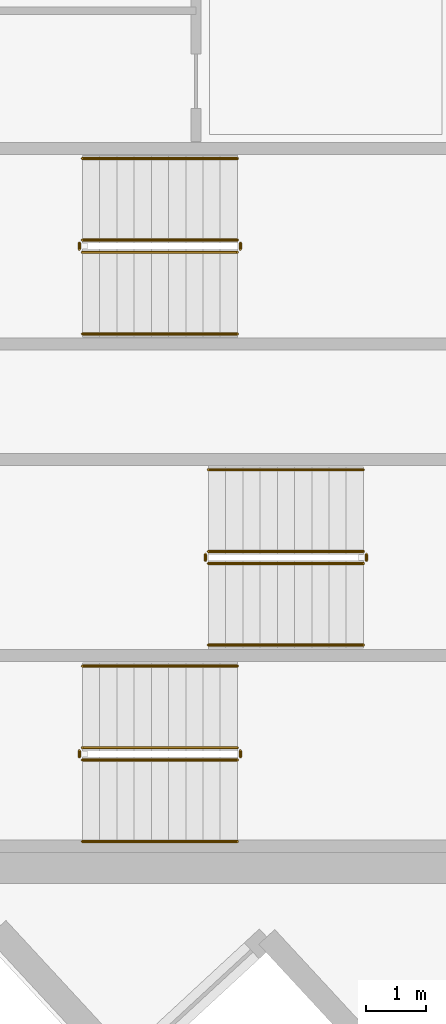
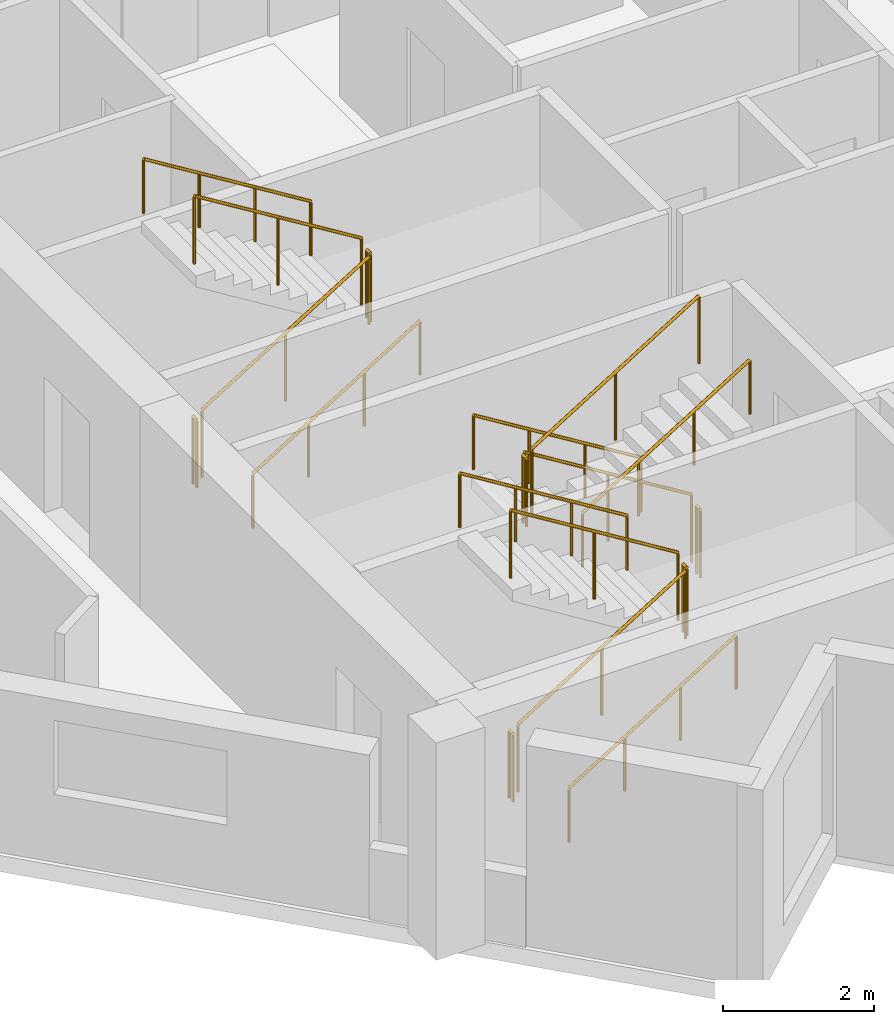
# One storey, part 12 of 13: 18 railings.
"""IFC4 building model written with IfcOpenShell, lengths in metres."""

from ifc_helpers import new_model, si_unit, direction, frame, origin, origin_2d, place, context, subcontext, project, spatial, circle, extrude, material, type_object, element, save


model = new_model("IFC4")

# Units and contexts
model_context = context("Model", 3, precision=1e-05, world=origin(), true_north=direction((0.0, 1.0)))
body_context = subcontext(model_context, "Body", "Model", "MODEL_VIEW")
ifc_project = project(units=[si_unit("LENGTHUNIT", "METRE"), si_unit("AREAUNIT", "SQUARE_METRE"), si_unit("VOLUMEUNIT", "CUBIC_METRE"), si_unit("PLANEANGLEUNIT", "RADIAN"), si_unit("MASSUNIT", "GRAM", prefix="KILO")], contexts=[model_context])

# Site, building, storey
site_placement = place(None, origin())
site = spatial("IfcSite", under=ifc_project, at=site_placement, CompositionType="ELEMENT")
building_placement = place(site_placement, origin())
building = spatial("IfcBuilding", under=site, at=building_placement, Name="Narakoshi Arena Tower", CompositionType="ELEMENT")
storey_placement = place(building_placement, frame((0.0, 0.0, 271.300048828125)))
storey = spatial("IfcBuildingStorey", under=building, at=storey_placement, Name="L74", CompositionType="ELEMENT", Elevation=271.300048828125)

# Railings
ifc_material_1 = material(Name="Clear low-iron laminated structural glass", Category="glass")
railing_type_1 = type_object("IfcRailingType", Name="RL-BAL-1100", PredefinedType="BALUSTRADE", material=ifc_material_1)
railing_1_placement = place(storey_placement, frame((74.39990234375, 36.949951171875, 0.176025390625)))
element("IfcRailing", 1, at=railing_1_placement, inside=storey, type_object=railing_type_1, Name="L74 ST1 stair guard 1", PredefinedType="BALUSTRADE", context=body_context, shape_type="SweptSolid", body=[
    extrude(circle(Radius=0.02392578125, at=origin_2d()), frame((0.0, 0.0, 1.09619140625), z_axis=(0.850856559306, 0.0, 0.525398054323), x_axis=(0.0, 1.0, 0.0)), (0.0, 0.0, 1.0), 3.014892578125),
    extrude(circle(Radius=0.02099609375, at=origin_2d()), origin(), (0.0, 0.0, 1.0), 1.072021484375),
    extrude(circle(Radius=0.02099609375, at=origin_2d()), frame((1.28271484375, 0.0, 0.7919921875)), (0.0, 0.0, 1.0), 1.072021484375),
    extrude(circle(Radius=0.02099609375, at=origin_2d()), frame((2.565185546875, 0.0, 1.583984375)), (0.0, 0.0, 1.0), 1.072021484375),
])
railing_2_placement = place(storey_placement, frame((77.014892578125, 37.0, 1.760009765625)))
element("IfcRailing", 2, at=railing_2_placement, inside=storey, type_object=railing_type_1, Name="L74 ST1 stair guard 2", PredefinedType="BALUSTRADE", context=body_context, shape_type="SweptSolid", body=[
    extrude(circle(Radius=0.02392578125, at=origin_2d()), frame((0.0, 0.0, 1.09619140625), z_axis=(0.0, 1.0, 0.0), x_axis=(-1.0, 0.0, 0.0)), (0.0, 0.0, 1.0), 0.10009765625),
    extrude(circle(Radius=0.02099609375, at=origin_2d()), origin(), (0.0, 0.0, 1.0), 1.072021484375),
    extrude(circle(Radius=0.02099609375, at=origin_2d()), frame((0.0, 0.10009765625, 0.0)), (0.0, 0.0, 1.0), 1.072021484375),
])
railing_3_placement = place(storey_placement, frame((76.965087890625, 37.14990234375, 1.93603515625)))
element("IfcRailing", 3, at=railing_3_placement, inside=storey, type_object=railing_type_1, Name="L74 ST1 stair guard 3", PredefinedType="BALUSTRADE", context=body_context, shape_type="SweptSolid", body=[
    extrude(circle(Radius=0.02392578125, at=origin_2d()), frame((0.0, 0.0, 1.09619140625), z_axis=(-0.850856559306, 0.0, 0.525398054323), x_axis=(0.0, -1.0, 0.0)), (0.0, 0.0, 1.0), 3.014892578125),
    extrude(circle(Radius=0.02099609375, at=origin_2d()), origin(), (0.0, 0.0, 1.0), 1.072021484375),
    extrude(circle(Radius=0.02099609375, at=origin_2d()), frame((-1.28271484375, 0.0, 0.7919921875)), (0.0, 0.0, 1.0), 1.072021484375),
    extrude(circle(Radius=0.02099609375, at=origin_2d()), frame((-2.565185546875, 0.0, 1.583984375)), (0.0, 0.0, 1.0), 1.072021484375),
])
railing_4_placement = place(storey_placement, frame((74.35009765625, 37.0, 0.0)))
element("IfcRailing", 4, at=railing_4_placement, inside=storey, type_object=railing_type_1, Name="L74 ST1 stair guard 4", PredefinedType="BALUSTRADE", context=body_context, shape_type="SweptSolid", body=[
    extrude(circle(Radius=0.02392578125, at=origin_2d()), frame((0.0, 0.0, 1.09619140625), z_axis=(0.0, 1.0, 0.0), x_axis=(-1.0, 0.0, 0.0)), (0.0, 0.0, 1.0), 0.10009765625),
    extrude(circle(Radius=0.02099609375, at=origin_2d()), origin(), (0.0, 0.0, 1.0), 1.072021484375),
    extrude(circle(Radius=0.02099609375, at=origin_2d()), frame((0.0, 0.10009765625, 0.0)), (0.0, 0.0, 1.0), 1.072021484375),
])
railing_5_placement = place(storey_placement, frame((79.050048828125, 40.39990234375, 0.176025390625)))
element("IfcRailing", 5, at=railing_5_placement, inside=storey, type_object=railing_type_1, Name="L74 ST2 stair guard 1", PredefinedType="BALUSTRADE", context=body_context, shape_type="SweptSolid", body=[
    extrude(circle(Radius=0.02392578125, at=origin_2d()), frame((0.0, 0.0, 1.09619140625), z_axis=(-0.850834203031, 0.0, 0.525434257497), x_axis=(0.0, -1.0, 0.0)), (0.0, 0.0, 1.0), 3.0146484375),
    extrude(circle(Radius=0.02099609375, at=origin_2d()), origin(), (0.0, 0.0, 1.0), 1.072021484375),
    extrude(circle(Radius=0.02099609375, at=origin_2d()), frame((-1.282470703125, 0.0, 0.7919921875)), (0.0, 0.0, 1.0), 1.072021484375),
    extrude(circle(Radius=0.02099609375, at=origin_2d()), frame((-2.56494140625, 0.0, 1.583984375)), (0.0, 0.0, 1.0), 1.072021484375),
])
railing_6_placement = place(storey_placement, frame((76.43505859375, 40.35009765625, 1.760009765625)))
element("IfcRailing", 6, at=railing_6_placement, inside=storey, type_object=railing_type_1, Name="L74 ST2 stair guard 2", PredefinedType="BALUSTRADE", context=body_context, shape_type="SweptSolid", body=[
    extrude(circle(Radius=0.02392578125, at=origin_2d()), frame((0.0, 0.0, 1.09619140625), z_axis=(0.0, -1.0, 0.0), x_axis=(1.0, 0.0, 0.0)), (0.0, 0.0, 1.0), 0.10009765625),
    extrude(circle(Radius=0.02099609375, at=origin_2d()), origin(), (0.0, 0.0, 1.0), 1.072021484375),
    extrude(circle(Radius=0.02099609375, at=origin_2d()), frame((0.0, -0.10009765625, 0.0)), (0.0, 0.0, 1.0), 1.072021484375),
])
railing_7_placement = place(storey_placement, frame((76.485107421875, 40.199951171875, 1.93603515625)))
element("IfcRailing", 7, at=railing_7_placement, inside=storey, type_object=railing_type_1, Name="L74 ST2 stair guard 3", PredefinedType="BALUSTRADE", context=body_context, shape_type="SweptSolid", body=[
    extrude(circle(Radius=0.02392578125, at=origin_2d()), frame((0.0, 0.0, 1.09619140625), z_axis=(0.850834203031, 0.0, 0.525434257497), x_axis=(0.0, 1.0, 0.0)), (0.0, 0.0, 1.0), 3.0146484375),
    extrude(circle(Radius=0.02099609375, at=origin_2d()), origin(), (0.0, 0.0, 1.0), 1.072021484375),
    extrude(circle(Radius=0.02099609375, at=origin_2d()), frame((1.282470703125, 0.0, 0.7919921875)), (0.0, 0.0, 1.0), 1.072021484375),
    extrude(circle(Radius=0.02099609375, at=origin_2d()), frame((2.56494140625, 0.0, 1.583984375)), (0.0, 0.0, 1.0), 1.072021484375),
])
railing_8_placement = place(storey_placement, frame((79.10009765625, 40.35009765625, 0.0)))
element("IfcRailing", 8, at=railing_8_placement, inside=storey, type_object=railing_type_1, Name="L74 ST2 stair guard 4", PredefinedType="BALUSTRADE", context=body_context, shape_type="SweptSolid", body=[
    extrude(circle(Radius=0.02392578125, at=origin_2d()), frame((0.0, 0.0, 1.09619140625), z_axis=(0.0, -1.0, 0.0), x_axis=(1.0, 0.0, 0.0)), (0.0, 0.0, 1.0), 0.10009765625),
    extrude(circle(Radius=0.02099609375, at=origin_2d()), origin(), (0.0, 0.0, 1.0), 1.072021484375),
    extrude(circle(Radius=0.02099609375, at=origin_2d()), frame((0.0, -0.10009765625, 0.0)), (0.0, 0.0, 1.0), 1.072021484375),
])
railing_9_placement = place(storey_placement, frame((74.39990234375, 45.35009765625, 0.176025390625)))
element("IfcRailing", 9, at=railing_9_placement, inside=storey, type_object=railing_type_1, Name="L74 ST3 stair guard 1", PredefinedType="BALUSTRADE", context=body_context, shape_type="SweptSolid", body=[
    extrude(circle(Radius=0.02392578125, at=origin_2d()), frame((0.0, 0.0, 1.09619140625), z_axis=(0.850856559306, 0.0, 0.525398054323), x_axis=(0.0, 1.0, 0.0)), (0.0, 0.0, 1.0), 3.014892578125),
    extrude(circle(Radius=0.02099609375, at=origin_2d()), origin(), (0.0, 0.0, 1.0), 1.072021484375),
    extrude(circle(Radius=0.02099609375, at=origin_2d()), frame((1.28271484375, 0.0, 0.7919921875)), (0.0, 0.0, 1.0), 1.072021484375),
    extrude(circle(Radius=0.02099609375, at=origin_2d()), frame((2.565185546875, 0.0, 1.583984375)), (0.0, 0.0, 1.0), 1.072021484375),
])
railing_10_placement = place(storey_placement, frame((77.014892578125, 45.39990234375, 1.760009765625)))
element("IfcRailing", 10, at=railing_10_placement, inside=storey, type_object=railing_type_1, Name="L74 ST3 stair guard 2", PredefinedType="BALUSTRADE", context=body_context, shape_type="SweptSolid", body=[
    extrude(circle(Radius=0.02392578125, at=origin_2d()), frame((0.0, 0.0, 1.09619140625), z_axis=(0.0, 1.0, 0.0), x_axis=(-1.0, 0.0, 0.0)), (0.0, 0.0, 1.0), 0.10009765625),
    extrude(circle(Radius=0.02099609375, at=origin_2d()), origin(), (0.0, 0.0, 1.0), 1.072021484375),
    extrude(circle(Radius=0.02099609375, at=origin_2d()), frame((0.0, 0.10009765625, 0.0)), (0.0, 0.0, 1.0), 1.072021484375),
])
railing_11_placement = place(storey_placement, frame((76.965087890625, 45.550048828125, 1.93603515625)))
element("IfcRailing", 11, at=railing_11_placement, inside=storey, type_object=railing_type_1, Name="L74 ST3 stair guard 3", PredefinedType="BALUSTRADE", context=body_context, shape_type="SweptSolid", body=[
    extrude(circle(Radius=0.02392578125, at=origin_2d()), frame((0.0, 0.0, 1.09619140625), z_axis=(-0.850856559306, 0.0, 0.525398054323), x_axis=(0.0, -1.0, 0.0)), (0.0, 0.0, 1.0), 3.014892578125),
    extrude(circle(Radius=0.02099609375, at=origin_2d()), origin(), (0.0, 0.0, 1.0), 1.072021484375),
    extrude(circle(Radius=0.02099609375, at=origin_2d()), frame((-1.28271484375, 0.0, 0.7919921875)), (0.0, 0.0, 1.0), 1.072021484375),
    extrude(circle(Radius=0.02099609375, at=origin_2d()), frame((-2.565185546875, 0.0, 1.583984375)), (0.0, 0.0, 1.0), 1.072021484375),
])
railing_12_placement = place(storey_placement, frame((74.35009765625, 45.39990234375, 0.0)))
element("IfcRailing", 12, at=railing_12_placement, inside=storey, type_object=railing_type_1, Name="L74 ST3 stair guard 4", PredefinedType="BALUSTRADE", context=body_context, shape_type="SweptSolid", body=[
    extrude(circle(Radius=0.02392578125, at=origin_2d()), frame((0.0, 0.0, 1.09619140625), z_axis=(0.0, 1.0, 0.0), x_axis=(-1.0, 0.0, 0.0)), (0.0, 0.0, 1.0), 0.10009765625),
    extrude(circle(Radius=0.02099609375, at=origin_2d()), origin(), (0.0, 0.0, 1.0), 1.072021484375),
    extrude(circle(Radius=0.02099609375, at=origin_2d()), frame((0.0, 0.10009765625, 0.0)), (0.0, 0.0, 1.0), 1.072021484375),
])
ifc_material_2 = material(Name="Brushed bronze stainless steel", Category="steel")
railing_type_2 = type_object("IfcRailingType", Name="RL-HND-900", PredefinedType="HANDRAIL", material=ifc_material_2)
railing_13_placement = place(storey_placement, frame((74.39990234375, 35.60009765625, 0.176025390625)))
element("IfcRailing", 13, at=railing_13_placement, inside=storey, type_object=railing_type_2, Name="L74 ST1 stair handrail 1", PredefinedType="HANDRAIL", context=body_context, shape_type="SweptSolid", body=[
    extrude(circle(Radius=0.02392578125, at=origin_2d()), frame((0.0, 0.0, 0.8759765625), z_axis=(0.850856559306, 0.0, 0.525398054323), x_axis=(0.0, 1.0, 0.0)), (0.0, 0.0, 1.0), 3.014892578125),
    extrude(circle(Radius=0.02099609375, at=origin_2d()), origin(), (0.0, 0.0, 1.0), 0.851806640625),
    extrude(circle(Radius=0.02099609375, at=origin_2d()), frame((0.85498046875, 0.0, 0.528076171875)), (0.0, 0.0, 1.0), 0.851806640625),
    extrude(circle(Radius=0.02099609375, at=origin_2d()), frame((1.710205078125, 0.0, 1.055908203125)), (0.0, 0.0, 1.0), 0.851806640625),
    extrude(circle(Radius=0.02099609375, at=origin_2d()), frame((2.565185546875, 0.0, 1.583984375)), (0.0, 0.0, 1.0), 0.851806640625),
])
railing_14_placement = place(storey_placement, frame((76.965087890625, 38.5, 1.93603515625)))
element("IfcRailing", 14, at=railing_14_placement, inside=storey, type_object=railing_type_2, Name="L74 ST1 stair handrail 2", PredefinedType="HANDRAIL", context=body_context, shape_type="SweptSolid", body=[
    extrude(circle(Radius=0.02392578125, at=origin_2d()), frame((0.0, 0.0, 0.8759765625), z_axis=(-0.850856559306, 0.0, 0.525398054323), x_axis=(0.0, -1.0, 0.0)), (0.0, 0.0, 1.0), 3.014892578125),
    extrude(circle(Radius=0.02099609375, at=origin_2d()), origin(), (0.0, 0.0, 1.0), 0.851806640625),
    extrude(circle(Radius=0.02099609375, at=origin_2d()), frame((-0.85498046875, 0.0, 0.528076171875)), (0.0, 0.0, 1.0), 0.851806640625),
    extrude(circle(Radius=0.02099609375, at=origin_2d()), frame((-1.710205078125, 0.0, 1.055908203125)), (0.0, 0.0, 1.0), 0.851806640625),
    extrude(circle(Radius=0.02099609375, at=origin_2d()), frame((-2.565185546875, 0.0, 1.583984375)), (0.0, 0.0, 1.0), 0.851806640625),
])
railing_15_placement = place(storey_placement, frame((79.050048828125, 41.75, 0.176025390625)))
element("IfcRailing", 15, at=railing_15_placement, inside=storey, type_object=railing_type_2, Name="L74 ST2 stair handrail 1", PredefinedType="HANDRAIL", context=body_context, shape_type="SweptSolid", body=[
    extrude(circle(Radius=0.02392578125, at=origin_2d()), frame((0.0, 0.0, 0.8759765625), z_axis=(-0.850834203031, 0.0, 0.525434257497), x_axis=(0.0, -1.0, 0.0)), (0.0, 0.0, 1.0), 3.0146484375),
    extrude(circle(Radius=0.02099609375, at=origin_2d()), origin(), (0.0, 0.0, 1.0), 0.851806640625),
    extrude(circle(Radius=0.02099609375, at=origin_2d()), frame((-0.85498046875, 0.0, 0.528076171875)), (0.0, 0.0, 1.0), 0.851806640625),
    extrude(circle(Radius=0.02099609375, at=origin_2d()), frame((-1.7099609375, 0.0, 1.055908203125)), (0.0, 0.0, 1.0), 0.851806640625),
    extrude(circle(Radius=0.02099609375, at=origin_2d()), frame((-2.56494140625, 0.0, 1.583984375)), (0.0, 0.0, 1.0), 0.851806640625),
])
railing_16_placement = place(storey_placement, frame((76.485107421875, 38.85009765625, 1.93603515625)))
element("IfcRailing", 16, at=railing_16_placement, inside=storey, type_object=railing_type_2, Name="L74 ST2 stair handrail 2", PredefinedType="HANDRAIL", context=body_context, shape_type="SweptSolid", body=[
    extrude(circle(Radius=0.02392578125, at=origin_2d()), frame((0.0, 0.0, 0.8759765625), z_axis=(0.850834203031, 0.0, 0.525434257497), x_axis=(0.0, 1.0, 0.0)), (0.0, 0.0, 1.0), 3.0146484375),
    extrude(circle(Radius=0.02099609375, at=origin_2d()), origin(), (0.0, 0.0, 1.0), 0.851806640625),
    extrude(circle(Radius=0.02099609375, at=origin_2d()), frame((0.85498046875, 0.0, 0.528076171875)), (0.0, 0.0, 1.0), 0.851806640625),
    extrude(circle(Radius=0.02099609375, at=origin_2d()), frame((1.7099609375, 0.0, 1.055908203125)), (0.0, 0.0, 1.0), 0.851806640625),
    extrude(circle(Radius=0.02099609375, at=origin_2d()), frame((2.56494140625, 0.0, 1.583984375)), (0.0, 0.0, 1.0), 0.851806640625),
])
railing_17_placement = place(storey_placement, frame((74.39990234375, 44.0, 0.176025390625)))
element("IfcRailing", 17, at=railing_17_placement, inside=storey, type_object=railing_type_2, Name="L74 ST3 stair handrail 1", PredefinedType="HANDRAIL", context=body_context, shape_type="SweptSolid", body=[
    extrude(circle(Radius=0.02392578125, at=origin_2d()), frame((0.0, 0.0, 0.8759765625), z_axis=(0.850856559306, 0.0, 0.525398054323), x_axis=(0.0, 1.0, 0.0)), (0.0, 0.0, 1.0), 3.014892578125),
    extrude(circle(Radius=0.02099609375, at=origin_2d()), origin(), (0.0, 0.0, 1.0), 0.851806640625),
    extrude(circle(Radius=0.02099609375, at=origin_2d()), frame((0.85498046875, 0.0, 0.528076171875)), (0.0, 0.0, 1.0), 0.851806640625),
    extrude(circle(Radius=0.02099609375, at=origin_2d()), frame((1.710205078125, 0.0, 1.055908203125)), (0.0, 0.0, 1.0), 0.851806640625),
    extrude(circle(Radius=0.02099609375, at=origin_2d()), frame((2.565185546875, 0.0, 1.583984375)), (0.0, 0.0, 1.0), 0.851806640625),
])
railing_18_placement = place(storey_placement, frame((76.965087890625, 46.89990234375, 1.93603515625)))
element("IfcRailing", 18, at=railing_18_placement, inside=storey, type_object=railing_type_2, Name="L74 ST3 stair handrail 2", PredefinedType="HANDRAIL", context=body_context, shape_type="SweptSolid", body=[
    extrude(circle(Radius=0.02392578125, at=origin_2d()), frame((0.0, 0.0, 0.8759765625), z_axis=(-0.850856559306, 0.0, 0.525398054323), x_axis=(0.0, -1.0, 0.0)), (0.0, 0.0, 1.0), 3.014892578125),
    extrude(circle(Radius=0.02099609375, at=origin_2d()), origin(), (0.0, 0.0, 1.0), 0.851806640625),
    extrude(circle(Radius=0.02099609375, at=origin_2d()), frame((-0.85498046875, 0.0, 0.528076171875)), (0.0, 0.0, 1.0), 0.851806640625),
    extrude(circle(Radius=0.02099609375, at=origin_2d()), frame((-1.710205078125, 0.0, 1.055908203125)), (0.0, 0.0, 1.0), 0.851806640625),
    extrude(circle(Radius=0.02099609375, at=origin_2d()), frame((-2.565185546875, 0.0, 1.583984375)), (0.0, 0.0, 1.0), 0.851806640625),
])

save(model, "model.ifc")
